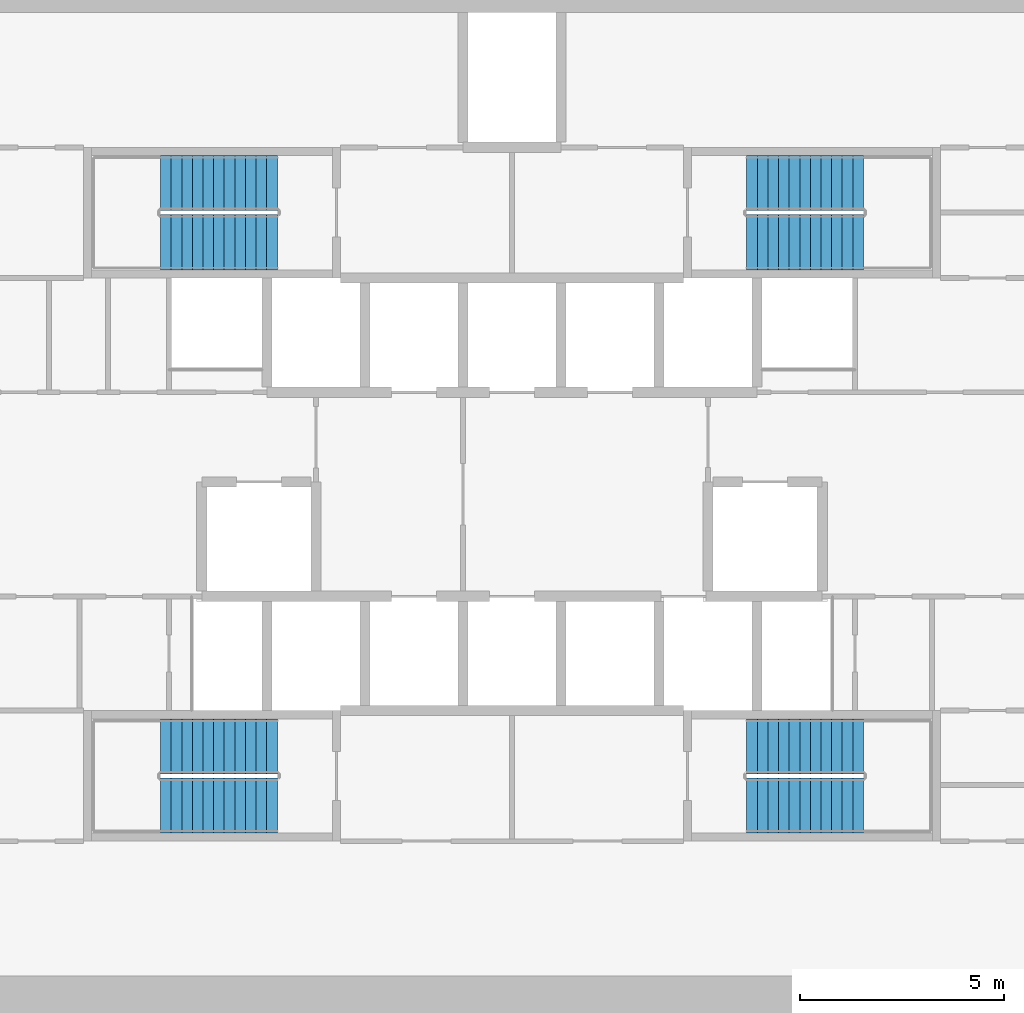
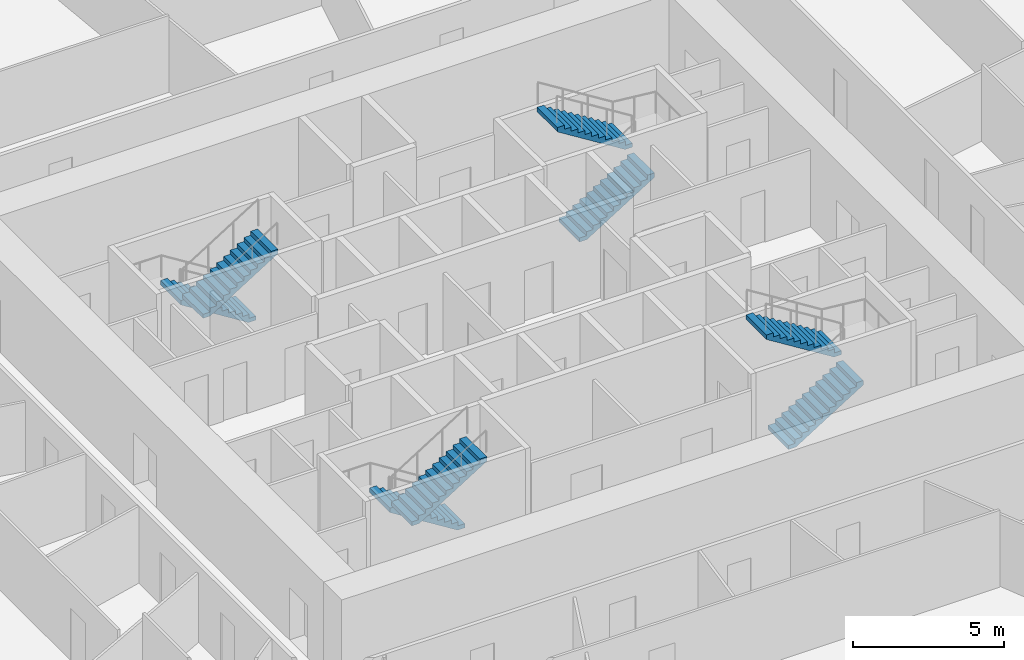
# One storey, part 10 of 11: 8 stair flights, 4 elements without a shape of their own.
"""IFC4 building model written with IfcOpenShell, lengths in metres."""

from ifc_helpers import new_model, si_unit, direction, frame, origin, place, context, subcontext, project, spatial, polyline, outline, extrude, source, transform, mapped, material, type_object, element, aggregate, save


model = new_model("IFC4")

# Units and contexts
model_context = context("Model", 3, precision=1e-05, world=origin(), true_north=direction((0.0, 1.0)))
body_context = subcontext(model_context, "Body", "Model", "MODEL_VIEW")
ifc_project = project(units=[si_unit("LENGTHUNIT", "METRE"), si_unit("AREAUNIT", "SQUARE_METRE"), si_unit("VOLUMEUNIT", "CUBIC_METRE"), si_unit("PLANEANGLEUNIT", "RADIAN"), si_unit("MASSUNIT", "GRAM", prefix="KILO")], contexts=[model_context])

# Site, building, storey
site_placement = place(None, origin())
site = spatial("IfcSite", under=ifc_project, at=site_placement, CompositionType="ELEMENT")
building_placement = place(site_placement, origin())
building = spatial("IfcBuilding", under=site, at=building_placement, Name="Embergate Tower", CompositionType="ELEMENT")
storey_placement = place(building_placement, frame((0.0, 0.0, 73.699951171875)))
storey = spatial("IfcBuildingStorey", under=building, at=storey_placement, Name="L14", CompositionType="ELEMENT", Elevation=73.699951171875)

# Stair, stair flights
ifc_material_1 = material(Name="Exit stair")
stair_type = type_object("IfcStairType", Name="Exit stair", PredefinedType="HALF_TURN_STAIR", material=ifc_material_1)
stair_1_placement = place(storey_placement, origin())
stair_1 = element("IfcStair", 1, at=stair_1_placement, inside=storey, type_object=stair_type, Name="L14 Exit stair 1", PredefinedType="HALF_TURN_STAIR")
ifc_material_2 = material(Name="Concrete C40", Category="concrete")
stair_flight_type = type_object("IfcStairFlightType", Name="Stair flight reinforced concrete", PredefinedType="STRAIGHT", material=ifc_material_2)
shared_shape = source(origin(), body_context, "Body", "SweptSolid", [
    extrude(outline(polyline([(0.0, 0.0), (0.0, 0.16259765625), (0.260009765625, 0.16259765625), (0.260009765625, 0.324951171875), (0.52001953125, 0.324951171875), (0.52001953125, 0.487548828125), (0.780029296875, 0.487548828125), (0.780029296875, 0.64990234375), (1.0400390625, 0.64990234375), (1.0400390625, 0.8125), (1.300048828125, 0.8125), (1.300048828125, 0.97509765625), (1.56005859375, 0.97509765625), (1.56005859375, 1.137451171875), (1.820068359375, 1.137451171875), (1.820068359375, 1.300048828125), (2.080078125, 1.300048828125), (2.080078125, 1.46240234375), (2.340087890625, 1.46240234375), (2.340087890625, 1.625), (2.60009765625, 1.625), (2.60009765625, 1.78759765625), (2.860107421875, 1.78759765625), (2.860107421875, 1.949951171875), (2.860107421875, 1.61083984375), (0.28271484375, 0.0), (0.0, 0.0)])), frame((0.0, 0.675048828125, 0.0), z_axis=(0.0, -1.0, 0.0), x_axis=(1.0, 0.0, 0.0)), (0.0, 0.0, 1.0), 1.35009765625),
])
stair_flight_1_placement = place(storey_placement, frame((-5.75, 7.625, 0.0), z_axis=(0.0, 0.0, 1.0), x_axis=(-1.0, 0.0, 0.0)))
stair_flight_1 = element("IfcStairFlight", 2, at=stair_flight_1_placement, type_object=stair_flight_type, Name="ST1 flight 1", NumberOfRisers=12, NumberOfTreads=11, PredefinedType="STRAIGHT", RiserHeight=0.1625, TreadLength=0.26, context=body_context, shape_type="MappedRepresentation", body=[
    mapped(shared_shape, transform((0.0, 0.0, 0.0))),
])
stair_flight_2_placement = place(storey_placement, frame((-8.610107421875, 6.175048828125, 1.949951171875), z_axis=(0.0, 0.0, 1.0), x_axis=(1.0, 0.0, 0.0)))
stair_flight_2 = element("IfcStairFlight", 3, at=stair_flight_2_placement, type_object=stair_flight_type, Name="ST1 flight 2", NumberOfRisers=12, NumberOfTreads=11, PredefinedType="STRAIGHT", RiserHeight=0.1625, TreadLength=0.26, context=body_context, shape_type="MappedRepresentation", body=[
    mapped(shared_shape, transform((0.0, 0.0, 0.0))),
])
aggregate(stair_1, [stair_flight_1, stair_flight_2])

stair_2_placement = place(storey_placement, origin())
stair_2 = element("IfcStair", 4, at=stair_2_placement, inside=storey, type_object=stair_type, Name="L14 Exit stair 2", PredefinedType="HALF_TURN_STAIR")
stair_flight_3_placement = place(storey_placement, frame((5.75, 6.175048828125, 0.0), z_axis=(0.0, 0.0, 1.0), x_axis=(1.0, 0.0, 0.0)))
stair_flight_3 = element("IfcStairFlight", 5, at=stair_flight_3_placement, type_object=stair_flight_type, Name="ST2 flight 1", NumberOfRisers=12, NumberOfTreads=11, PredefinedType="STRAIGHT", RiserHeight=0.1625, TreadLength=0.26, context=body_context, shape_type="MappedRepresentation", body=[
    mapped(shared_shape, transform((0.0, 0.0, 0.0))),
])
stair_flight_4_placement = place(storey_placement, frame((8.610107421875, 7.625, 1.949951171875), z_axis=(0.0, 0.0, 1.0), x_axis=(-1.0, 0.0, 0.0)))
stair_flight_4 = element("IfcStairFlight", 6, at=stair_flight_4_placement, type_object=stair_flight_type, Name="ST2 flight 2", NumberOfRisers=12, NumberOfTreads=11, PredefinedType="STRAIGHT", RiserHeight=0.1625, TreadLength=0.26, context=body_context, shape_type="MappedRepresentation", body=[
    mapped(shared_shape, transform((0.0, 0.0, 0.0))),
])
aggregate(stair_2, [stair_flight_3, stair_flight_4])

stair_3_placement = place(storey_placement, origin())
stair_3 = element("IfcStair", 7, at=stair_3_placement, inside=storey, type_object=stair_type, Name="L14 Exit stair 3", PredefinedType="HALF_TURN_STAIR")
stair_flight_5_placement = place(storey_placement, frame((-5.75, -6.175048828125, 0.0), z_axis=(0.0, 0.0, 1.0), x_axis=(-1.0, 0.0, 0.0)))
stair_flight_5 = element("IfcStairFlight", 8, at=stair_flight_5_placement, type_object=stair_flight_type, Name="ST3 flight 1", NumberOfRisers=12, NumberOfTreads=11, PredefinedType="STRAIGHT", RiserHeight=0.1625, TreadLength=0.26, context=body_context, shape_type="MappedRepresentation", body=[
    mapped(shared_shape, transform((0.0, 0.0, 0.0))),
])
stair_flight_6_placement = place(storey_placement, frame((-8.610107421875, -7.625, 1.949951171875), z_axis=(0.0, 0.0, 1.0), x_axis=(1.0, 0.0, 0.0)))
stair_flight_6 = element("IfcStairFlight", 9, at=stair_flight_6_placement, type_object=stair_flight_type, Name="ST3 flight 2", NumberOfRisers=12, NumberOfTreads=11, PredefinedType="STRAIGHT", RiserHeight=0.1625, TreadLength=0.26, context=body_context, shape_type="MappedRepresentation", body=[
    mapped(shared_shape, transform((0.0, 0.0, 0.0))),
])
aggregate(stair_3, [stair_flight_5, stair_flight_6])

stair_4_placement = place(storey_placement, origin())
stair_4 = element("IfcStair", 10, at=stair_4_placement, inside=storey, type_object=stair_type, Name="L14 Exit stair 4", PredefinedType="HALF_TURN_STAIR")
stair_flight_7_placement = place(storey_placement, frame((5.75, -7.625, 0.0), z_axis=(0.0, 0.0, 1.0), x_axis=(1.0, 0.0, 0.0)))
stair_flight_7 = element("IfcStairFlight", 11, at=stair_flight_7_placement, type_object=stair_flight_type, Name="ST4 flight 1", NumberOfRisers=12, NumberOfTreads=11, PredefinedType="STRAIGHT", RiserHeight=0.1625, TreadLength=0.26, context=body_context, shape_type="MappedRepresentation", body=[
    mapped(shared_shape, transform((0.0, 0.0, 0.0))),
])
stair_flight_8_placement = place(storey_placement, frame((8.610107421875, -6.175048828125, 1.949951171875), z_axis=(0.0, 0.0, 1.0), x_axis=(-1.0, 0.0, 0.0)))
stair_flight_8 = element("IfcStairFlight", 12, at=stair_flight_8_placement, type_object=stair_flight_type, Name="ST4 flight 2", NumberOfRisers=12, NumberOfTreads=11, PredefinedType="STRAIGHT", RiserHeight=0.1625, TreadLength=0.26, context=body_context, shape_type="MappedRepresentation", body=[
    mapped(shared_shape, transform((0.0, 0.0, 0.0))),
])
aggregate(stair_4, [stair_flight_7, stair_flight_8])

save(model, "model.ifc")
